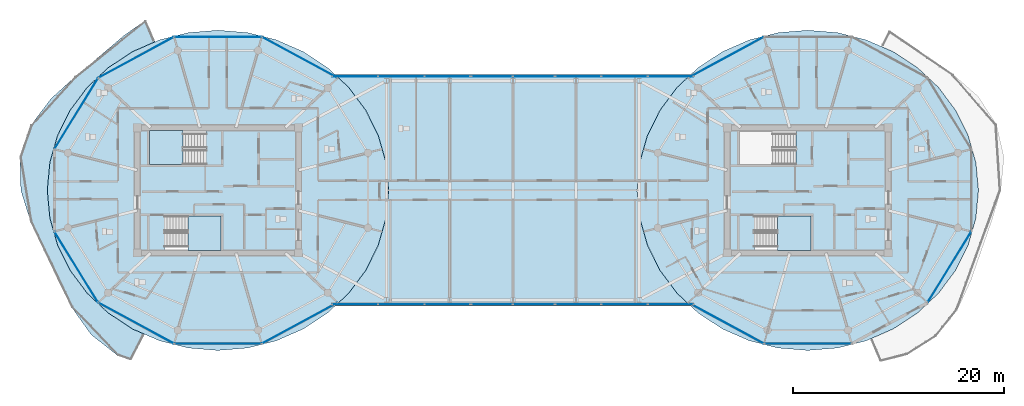
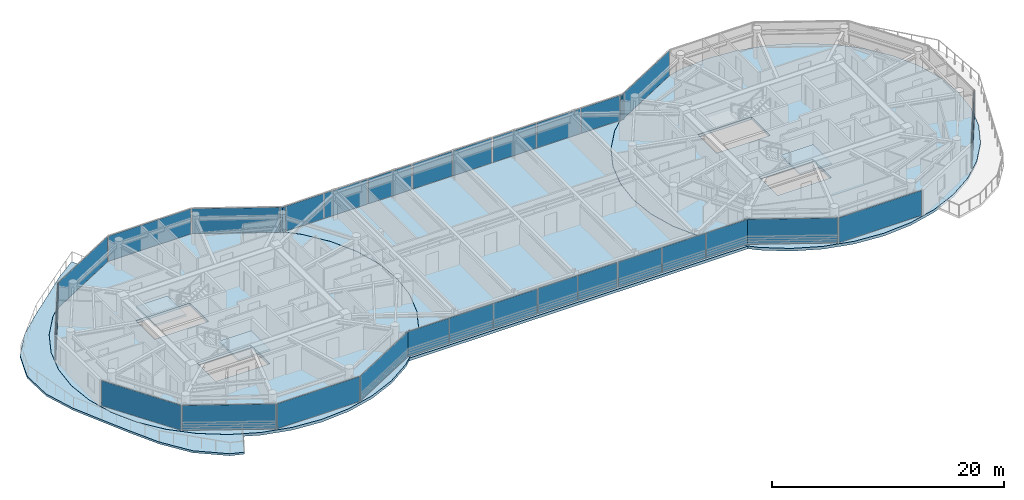
# One storey, part 12 of 26: 28 plates, 7 slabs, 21 elements without a shape of their own.
"""IFC4 building model written with IfcOpenShell, lengths in metres."""

from ifc_helpers import new_model, si_unit, direction, frame, origin, origin_2d, place, context, subcontext, project, spatial, polyline, rectangle, outline, extrude, source, transform, mapped, material, layer, layer_set, type_object, type_shapes, element, aggregate, save


model = new_model("IFC4")

# Units and contexts
model_context = context("Model", 3, precision=1e-05, world=origin(), true_north=direction((0.0, 1.0)))
body_context = subcontext(model_context, "Body", "Model", "MODEL_VIEW")
ifc_project = project(units=[si_unit("LENGTHUNIT", "METRE"), si_unit("AREAUNIT", "SQUARE_METRE"), si_unit("VOLUMEUNIT", "CUBIC_METRE"), si_unit("PLANEANGLEUNIT", "RADIAN"), si_unit("MASSUNIT", "GRAM", prefix="KILO")], contexts=[model_context])

# Site, building, storey
site_placement = place(None, origin())
site = spatial("IfcSite", under=ifc_project, at=site_placement, CompositionType="ELEMENT")
building_placement = place(site_placement, origin())
building = spatial("IfcBuilding", under=site, at=building_placement, Name="Norrkilde Senior Care Towers", CompositionType="ELEMENT")
storey_placement = place(building_placement, frame((0.0, 0.0, 210.85009765625)))
storey = spatial("IfcBuildingStorey", under=building, at=storey_placement, Name="L65", CompositionType="ELEMENT", Elevation=210.85009765625)

# Slabs
ifc_material_1 = material(Name="Concrete C50/60", Category="concrete")
ifc_layer_1 = layer(ifc_material_1, 0.2900390625)
ifc_layer_set_1 = layer_set([ifc_layer_1], Name="Concrete C50/60")
slab_type_1 = type_object("IfcSlabType", Name="Bridge Floor Slab 290", PredefinedType="FLOOR", material=ifc_layer_set_1)
slab_1_placement = place(storey_placement, frame((0.0, 0.0, -0.2900390625)))
element("IfcSlab", 1, at=slab_1_placement, inside=storey, type_object=slab_type_1, Name="L65 Drum W Structural Floor Slab", PredefinedType="FLOOR", context=body_context, shape_type="SweptSolid", body=[
    extrude(outline(polyline([(-12.777099609375, -5.19873046875), (-13.970458984375, -7.60009765625), (-15.590087890625, -9.770263671875), (-17.5869140625, -11.643798828125), (-19.89990234375, -13.16357421875), (-22.459228515625, -14.283447265625), (-25.18701171875, -14.968994140625), (-28.0, -15.199951171875), (-30.81298828125, -14.968994140625), (-33.540771484375, -14.283447265625), (-36.10009765625, -13.16357421875), (-38.4130859375, -11.643798828125), (-40.409912109375, -9.770263671875), (-42.029541015625, -7.60009765625), (-43.222900390625, -5.19873046875), (-43.953857421875, -2.639404296875), (-44.199951171875, 0.0), (-43.953857421875, 2.639404296875), (-43.222900390625, 5.19873046875), (-42.029541015625, 7.60009765625), (-40.409912109375, 9.770263671875), (-38.4130859375, 11.643798828125), (-36.10009765625, 13.16357421875), (-33.540771484375, 14.283447265625), (-30.81298828125, 14.968994140625), (-28.0, 15.199951171875), (-25.18701171875, 14.968994140625), (-22.459228515625, 14.283447265625), (-19.89990234375, 13.16357421875), (-17.5869140625, 11.643798828125), (-15.590087890625, 9.770263671875), (-13.970458984375, 7.60009765625), (-12.777099609375, 5.19873046875), (-12.046142578125, 2.639404296875), (-11.800048828125, 0.0), (-12.046142578125, -2.639404296875), (-12.777099609375, -5.19873046875)]), holes=[polyline([(-34.48193359375, 2.468017578125), (-29.117919921875, 2.468017578125), (-29.117919921875, 5.68994140625), (-34.48193359375, 5.68994140625), (-34.48193359375, 2.468017578125)]), polyline([(-27.718017578125, -5.68994140625), (-27.718017578125, -2.468017578125), (-33.08203125, -2.468017578125), (-33.08203125, -5.68994140625), (-27.718017578125, -5.68994140625)])]), origin(), (0.0, 0.0, 1.0), 0.2900390625),
])
slab_2_placement = place(storey_placement, frame((0.0, 0.0, -0.2900390625)))
element("IfcSlab", 2, at=slab_2_placement, inside=storey, type_object=slab_type_1, Name="L65 Drum E Structural Floor Slab", PredefinedType="FLOOR", context=body_context, shape_type="SweptSolid", body=[
    extrude(outline(polyline([(43.222900390625, -5.19873046875), (42.029541015625, -7.60009765625), (40.409912109375, -9.770263671875), (38.4130859375, -11.643798828125), (36.10009765625, -13.16357421875), (33.540771484375, -14.283447265625), (30.81298828125, -14.968994140625), (28.0, -15.199951171875), (25.18701171875, -14.968994140625), (22.459228515625, -14.283447265625), (19.89990234375, -13.16357421875), (17.5869140625, -11.643798828125), (15.590087890625, -9.770263671875), (13.970458984375, -7.60009765625), (12.777099609375, -5.19873046875), (12.046142578125, -2.639404296875), (11.800048828125, 0.0), (12.046142578125, 2.639404296875), (12.777099609375, 5.19873046875), (13.970458984375, 7.60009765625), (15.590087890625, 9.770263671875), (17.5869140625, 11.643798828125), (19.89990234375, 13.16357421875), (22.459228515625, 14.283447265625), (25.18701171875, 14.968994140625), (28.0, 15.199951171875), (30.81298828125, 14.968994140625), (33.540771484375, 14.283447265625), (36.10009765625, 13.16357421875), (38.4130859375, 11.643798828125), (40.409912109375, 9.770263671875), (42.029541015625, 7.60009765625), (43.222900390625, 5.19873046875), (43.953857421875, 2.639404296875), (44.199951171875, 0.0), (43.953857421875, -2.639404296875), (43.222900390625, -5.19873046875)]), holes=[polyline([(21.51806640625, 2.468017578125), (26.882080078125, 2.468017578125), (26.882080078125, 5.68994140625), (21.51806640625, 5.68994140625), (21.51806640625, 2.468017578125)]), polyline([(28.281982421875, -5.68994140625), (28.281982421875, -2.468017578125), (22.91796875, -2.468017578125), (22.91796875, -5.68994140625), (28.281982421875, -5.68994140625)])]), origin(), (0.0, 0.0, 1.0), 0.2900390625),
])
slab_3_placement = place(storey_placement, frame((0.0, 0.0, -0.2900390625)))
element("IfcSlab", 3, at=slab_3_placement, inside=storey, type_object=slab_type_1, Name="L65 Sky-Gate Bridge Floor Slab", PredefinedType="FLOOR", context=body_context, shape_type="SweptSolid", body=[
    extrude(outline(polyline([(16.893310546875, 11.0), (15.586669921875, 9.77392578125), (15.58642578125, 9.773681640625), (15.586181640625, 9.7734375), (13.96630859375, 7.60302734375), (13.966064453125, 7.6025390625), (13.9658203125, 7.602294921875), (12.7724609375, 5.200927734375), (12.772216796875, 5.200439453125), (12.772216796875, 5.2001953125), (12.041259765625, 2.640869140625), (12.041259765625, 2.640380859375), (12.041015625, 2.639892578125), (11.794921875, 0.00048828125), (11.794921875, 0.0), (11.794921875, -0.00048828125), (12.041015625, -2.639892578125), (12.041259765625, -2.640380859375), (12.041259765625, -2.640869140625), (12.772216796875, -5.2001953125), (12.772216796875, -5.200439453125), (12.7724609375, -5.200927734375), (13.9658203125, -7.602294921875), (13.966064453125, -7.6025390625), (13.96630859375, -7.60302734375), (15.586181640625, -9.7734375), (15.58642578125, -9.773681640625), (15.586669921875, -9.77392578125), (16.893310546875, -11.0), (-16.893310546875, -11.0), (-15.586669921875, -9.77392578125), (-15.58642578125, -9.773681640625), (-15.586181640625, -9.7734375), (-13.96630859375, -7.60302734375), (-13.966064453125, -7.6025390625), (-13.9658203125, -7.602294921875), (-12.7724609375, -5.200927734375), (-12.772216796875, -5.200439453125), (-12.772216796875, -5.2001953125), (-12.041259765625, -2.640869140625), (-12.041259765625, -2.640380859375), (-12.041015625, -2.639892578125), (-11.794921875, -0.00048828125), (-11.794921875, 0.0), (-11.794921875, 0.00048828125), (-12.041015625, 2.639892578125), (-12.041259765625, 2.640380859375), (-12.041259765625, 2.640869140625), (-12.772216796875, 5.2001953125), (-12.772216796875, 5.200439453125), (-12.7724609375, 5.200927734375), (-13.9658203125, 7.602294921875), (-13.966064453125, 7.6025390625), (-13.96630859375, 7.60302734375), (-15.586181640625, 9.7734375), (-15.58642578125, 9.773681640625), (-15.586669921875, 9.77392578125), (-16.893310546875, 11.0), (16.893310546875, 11.0)])), origin(), (0.0, 0.0, 1.0), 0.2900390625),
])
ifc_layer_2 = layer(ifc_material_1, 0.215087890625)
ifc_layer_set_2 = layer_set([ifc_layer_2], Name="Concrete C50/60")
slab_type_2 = type_object("IfcSlabType", Name="Sinusoidal Balcony Ribbon Slab 215", PredefinedType="FLOOR", material=ifc_layer_set_2)
slab_4_placement = place(storey_placement, frame((0.0, 0.0, -0.215087890625)))
element("IfcSlab", 4, at=slab_4_placement, inside=storey, type_object=slab_type_2, Name="L65 Drum W Swirling Senior Balcony 1", PredefinedType="FLOOR", context=body_context, shape_type="SweptSolid", body=[
    extrude(outline(polyline([(-41.8935546875, -11.09716796875), (-43.267822265625, -8.36181640625), (-44.525146484375, -5.703857421875), (-45.78173828125, -2.98291015625), (-46.71240234375, 0.0), (-46.79248046875, 3.1728515625), (-45.757568359375, 6.181884765625), (-43.83935546875, 8.713623046875), (-41.55126953125, 10.791259765625), (-39.255615234375, 12.7138671875), (-36.927490234375, 14.69140625), (-34.841552734375, 16.17041015625), (-33.966552734375, 14.1025390625), (-36.1025390625, 13.16796875), (-38.416259765625, 11.647705078125), (-40.413818359375, 9.773681640625), (-42.033935546875, 7.6025390625), (-43.227783203125, 5.200439453125), (-43.958740234375, 2.640380859375), (-44.205078125, 0.0), (-43.958740234375, -2.640380859375), (-43.227783203125, -5.200439453125), (-42.033935546875, -7.6025390625), (-40.413818359375, -9.773681640625), (-38.416259765625, -11.647705078125), (-36.1025390625, -13.16796875), (-34.976806640625, -13.660400390625), (-36.240966796875, -16.135498046875), (-37.481201171875, -15.71337890625), (-40.035888671875, -13.704833984375), (-41.8935546875, -11.09716796875)])), origin(), (0.0, 0.0, 1.0), 0.215087890625),
])

# Stair, slab
ifc_material_2 = material(Name="Concrete C45/55", Category="concrete")
stair_type = type_object("IfcStairType", Name="Core Protected Dogleg Stair Typical 3050", PredefinedType="HALF_TURN_STAIR", material=ifc_material_2)
stair_1_placement = place(storey_placement, origin())
stair_1 = element("IfcStair", 5, at=stair_1_placement, inside=storey, type_object=stair_type, Name="L65 Protected Core Stair W1", PredefinedType="HALF_TURN_STAIR")
ifc_layer_3 = layer(ifc_material_2, 0.199951171875)
ifc_layer_set_3 = layer_set([ifc_layer_3], Name="Concrete C45/55")
slab_type_3 = type_object("IfcSlabType", Name="Stair Landing Slab 200", PredefinedType="LANDING", material=ifc_layer_set_3)
slab_5_placement = place(storey_placement, frame((0.0, 0.0, 1.324951171875)))
slab_5 = element("IfcSlab", 6, at=slab_5_placement, type_object=slab_type_3, Name="ST-W1 landing 1", PredefinedType="LANDING", context=body_context, shape_type="SweptSolid", body=[
    extrude(outline(polyline([(-31.340087890625, 5.68994140625), (-34.5, 5.68994140625), (-34.5, 2.449951171875), (-31.340087890625, 2.449951171875), (-31.340087890625, 5.68994140625)])), origin(), (0.0, 0.0, 1.0), 0.199951171875),
])
aggregate(stair_1, [slab_5])

stair_2_placement = place(storey_placement, origin())
stair_2 = element("IfcStair", 7, at=stair_2_placement, inside=storey, type_object=stair_type, Name="L65 Protected Core Stair W2", PredefinedType="HALF_TURN_STAIR")
slab_6_placement = place(storey_placement, frame((0.0, 0.0, 1.324951171875)))
slab_6 = element("IfcSlab", 8, at=slab_6_placement, type_object=slab_type_3, Name="ST-W2 landing 1", PredefinedType="LANDING", context=body_context, shape_type="SweptSolid", body=[
    extrude(outline(polyline([(-30.860107421875, -5.68994140625), (-27.699951171875, -5.68994140625), (-27.699951171875, -2.449951171875), (-30.860107421875, -2.449951171875), (-30.860107421875, -5.68994140625)])), origin(), (0.0, 0.0, 1.0), 0.199951171875),
])
aggregate(stair_2, [slab_6])

stair_3_placement = place(storey_placement, origin())
stair_3 = element("IfcStair", 9, at=stair_3_placement, inside=storey, type_object=stair_type, Name="L65 Protected Core Stair E2", PredefinedType="HALF_TURN_STAIR")
slab_7_placement = place(storey_placement, frame((0.0, 0.0, 1.324951171875)))
slab_7 = element("IfcSlab", 10, at=slab_7_placement, type_object=slab_type_3, Name="ST-E2 landing 1", PredefinedType="LANDING", context=body_context, shape_type="SweptSolid", body=[
    extrude(outline(polyline([(25.139892578125, -5.68994140625), (28.300048828125, -5.68994140625), (28.300048828125, -2.449951171875), (25.139892578125, -2.449951171875), (25.139892578125, -5.68994140625)])), origin(), (0.0, 0.0, 1.0), 0.199951171875),
])
aggregate(stair_3, [slab_7])

# Curtain wall, plate
ifc_material_3 = material(Name="Triple Low-E Insulated Glazing", Category="glass")
ifc_layer_4 = layer(ifc_material_3, 0.18505859375)
ifc_layer_set_4 = layer_set([ifc_layer_4], Name="Triple Low-E Insulated Glazing")
curtain_wall_type_1 = type_object("IfcCurtainWallType", Name="CW6 Zone 4 Crown Pavilion Curtain Wall", PredefinedType="NOTDEFINED", material=ifc_layer_set_4)
curtain_wall_1_placement = place(storey_placement, origin())
curtain_wall_1 = element("IfcCurtainWall", 11, at=curtain_wall_1_placement, inside=storey, type_object=curtain_wall_type_1, Name="L65 Drum W Curtain Wall 04", PredefinedType="NOTDEFINED")
ifc_layer_5 = layer(ifc_material_3, 0.035888671875)
ifc_layer_set_5 = layer_set([ifc_layer_5], Name="Triple Low-E Insulated Glazing")
plate_type = type_object("IfcPlateType", Name="Triple Low-E Vision Curtain Panel 36", PredefinedType="CURTAIN_PANEL", material=ifc_layer_set_5)
shared_shape_1 = source(origin(), body_context, "Body", "SweptSolid", [
    extrude(rectangle(XDim=7.80859375, YDim=0.035888671875, at=origin_2d()), origin(), (0.0, 0.0, 1.0), 2.639892578125),
])
plate_1_placement = place(storey_placement, frame((-41.451171875, 7.282958984375, 0.06005859375), z_axis=(0.0, 0.0, 1.0), x_axis=(0.524252726748, 0.851562727283, 0.0)))
plate_1 = element("IfcPlate", 12, at=plate_1_placement, type_object=plate_type, Name="CW-6 panel 1.1", PredefinedType="CURTAIN_PANEL", context=body_context, shape_type="MappedRepresentation", body=[
    mapped(shared_shape_1, transform((0.0, 0.0, 0.0), x_axis=(1.0, 0.0, 0.0), y_axis=(0.0, 1.0, 0.0), z_axis=(0.0, 0.0, 1.0), scale=1.0)),
])
aggregate(curtain_wall_1, [plate_1])

curtain_wall_2_placement = place(storey_placement, origin())
curtain_wall_2 = element("IfcCurtainWall", 13, at=curtain_wall_2_placement, inside=storey, type_object=curtain_wall_type_1, Name="L65 Drum W Curtain Wall 06", PredefinedType="NOTDEFINED")
plate_2_placement = place(storey_placement, frame((-41.451171875, -7.282958984375, 0.06005859375), z_axis=(0.0, 0.0, 1.0), x_axis=(-0.524252726748, 0.851562727283, 0.0)))
plate_2 = element("IfcPlate", 14, at=plate_2_placement, type_object=plate_type, Name="CW-6 panel 1.1", PredefinedType="CURTAIN_PANEL", context=body_context, shape_type="MappedRepresentation", body=[
    mapped(shared_shape_1, transform((0.0, 0.0, 0.0), x_axis=(1.0, 0.0, 0.0), y_axis=(0.0, 1.0, 0.0), z_axis=(0.0, 0.0, 1.0), scale=1.0)),
])
aggregate(curtain_wall_2, [plate_2])

curtain_wall_3_placement = place(storey_placement, origin())
curtain_wall_3 = element("IfcCurtainWall", 15, at=curtain_wall_3_placement, inside=storey, type_object=curtain_wall_type_1, Name="L65 Drum E Curtain Wall 10", PredefinedType="NOTDEFINED")
plate_3_placement = place(storey_placement, frame((41.451171875, -7.282958984375, 0.06005859375), z_axis=(0.0, 0.0, 1.0), x_axis=(-0.524252726748, -0.851562727283, 0.0)))
plate_3 = element("IfcPlate", 16, at=plate_3_placement, type_object=plate_type, Name="CW-6 panel 1.1", PredefinedType="CURTAIN_PANEL", context=body_context, shape_type="MappedRepresentation", body=[
    mapped(shared_shape_1, transform((0.0, 0.0, 0.0), x_axis=(1.0, 0.0, 0.0), y_axis=(0.0, 1.0, 0.0), z_axis=(0.0, 0.0, 1.0), scale=1.0)),
])
aggregate(curtain_wall_3, [plate_3])

curtain_wall_4_placement = place(storey_placement, origin())
curtain_wall_4 = element("IfcCurtainWall", 17, at=curtain_wall_4_placement, inside=storey, type_object=curtain_wall_type_1, Name="L65 Drum W Curtain Wall 01", PredefinedType="NOTDEFINED")
shared_shape_2 = source(origin(), body_context, "Body", "SweptSolid", [
    extrude(rectangle(XDim=8.0673828125, YDim=0.035888671875, at=origin_2d()), origin(), (0.0, 0.0, 1.0), 2.639892578125),
])
plate_4_placement = place(storey_placement, frame((-20.23388671875, 12.61474609375, 0.06005859375), z_axis=(0.0, 0.0, 1.0), x_axis=(0.879373455772, -0.476132676136, 0.0)))
plate_4 = element("IfcPlate", 18, at=plate_4_placement, type_object=plate_type, Name="CW-6 panel 1.1", PredefinedType="CURTAIN_PANEL", context=body_context, shape_type="MappedRepresentation", body=[
    mapped(shared_shape_2, transform((0.0, 0.0, 0.0), x_axis=(1.0, 0.0, 0.0), y_axis=(0.0, 1.0, 0.0), z_axis=(0.0, 0.0, 1.0), scale=1.0)),
])
aggregate(curtain_wall_4, [plate_4])

curtain_wall_5_placement = place(storey_placement, origin())
curtain_wall_5 = element("IfcCurtainWall", 19, at=curtain_wall_5_placement, inside=storey, type_object=curtain_wall_type_1, Name="L65 Drum W Curtain Wall 03", PredefinedType="NOTDEFINED")
plate_5_placement = place(storey_placement, frame((-35.76611328125, 12.61474609375, 0.06005859375), z_axis=(0.0, 0.0, 1.0), x_axis=(0.879373455772, 0.476132676136, 0.0)))
plate_5 = element("IfcPlate", 20, at=plate_5_placement, type_object=plate_type, Name="CW-6 panel 1.1", PredefinedType="CURTAIN_PANEL", context=body_context, shape_type="MappedRepresentation", body=[
    mapped(shared_shape_2, transform((0.0, 0.0, 0.0), x_axis=(1.0, 0.0, 0.0), y_axis=(0.0, 1.0, 0.0), z_axis=(0.0, 0.0, 1.0), scale=1.0)),
])
aggregate(curtain_wall_5, [plate_5])

curtain_wall_6_placement = place(storey_placement, origin())
curtain_wall_6 = element("IfcCurtainWall", 21, at=curtain_wall_6_placement, inside=storey, type_object=curtain_wall_type_1, Name="L65 Drum W Curtain Wall 07", PredefinedType="NOTDEFINED")
plate_6_placement = place(storey_placement, frame((-35.76611328125, -12.61474609375, 0.06005859375), z_axis=(0.0, 0.0, 1.0), x_axis=(-0.879373455772, 0.476132676136, 0.0)))
plate_6 = element("IfcPlate", 22, at=plate_6_placement, type_object=plate_type, Name="CW-6 panel 1.1", PredefinedType="CURTAIN_PANEL", context=body_context, shape_type="MappedRepresentation", body=[
    mapped(shared_shape_2, transform((0.0, 0.0, 0.0), x_axis=(1.0, 0.0, 0.0), y_axis=(0.0, 1.0, 0.0), z_axis=(0.0, 0.0, 1.0), scale=1.0)),
])
aggregate(curtain_wall_6, [plate_6])

curtain_wall_7_placement = place(storey_placement, origin())
curtain_wall_7 = element("IfcCurtainWall", 23, at=curtain_wall_7_placement, inside=storey, type_object=curtain_wall_type_1, Name="L65 Drum W Curtain Wall 09", PredefinedType="NOTDEFINED")
plate_7_placement = place(storey_placement, frame((-20.23388671875, -12.61474609375, 0.06005859375), z_axis=(0.0, 0.0, 1.0), x_axis=(-0.879373455772, -0.476132676136, 0.0)))
plate_7 = element("IfcPlate", 24, at=plate_7_placement, type_object=plate_type, Name="CW-6 panel 1.1", PredefinedType="CURTAIN_PANEL", context=body_context, shape_type="MappedRepresentation", body=[
    mapped(shared_shape_2, transform((0.0, 0.0, 0.0), x_axis=(1.0, 0.0, 0.0), y_axis=(0.0, 1.0, 0.0), z_axis=(0.0, 0.0, 1.0), scale=1.0)),
])
aggregate(curtain_wall_7, [plate_7])

curtain_wall_8_placement = place(storey_placement, origin())
curtain_wall_8 = element("IfcCurtainWall", 25, at=curtain_wall_8_placement, inside=storey, type_object=curtain_wall_type_1, Name="L65 Drum E Curtain Wall 03", PredefinedType="NOTDEFINED")
plate_8_placement = place(storey_placement, frame((20.23388671875, 12.61474609375, 0.06005859375), z_axis=(0.0, 0.0, 1.0), x_axis=(0.879373455772, 0.476132676136, 0.0)))
plate_8 = element("IfcPlate", 26, at=plate_8_placement, type_object=plate_type, Name="CW-6 panel 1.1", PredefinedType="CURTAIN_PANEL", context=body_context, shape_type="MappedRepresentation", body=[
    mapped(shared_shape_2, transform((0.0, 0.0, 0.0), x_axis=(1.0, 0.0, 0.0), y_axis=(0.0, 1.0, 0.0), z_axis=(0.0, 0.0, 1.0), scale=1.0)),
])
aggregate(curtain_wall_8, [plate_8])

curtain_wall_9_placement = place(storey_placement, origin())
curtain_wall_9 = element("IfcCurtainWall", 27, at=curtain_wall_9_placement, inside=storey, type_object=curtain_wall_type_1, Name="L65 Drum E Curtain Wall 07", PredefinedType="NOTDEFINED")
plate_9_placement = place(storey_placement, frame((20.23388671875, -12.61474609375, 0.06005859375), z_axis=(0.0, 0.0, 1.0), x_axis=(-0.879373455772, 0.476132676136, 0.0)))
plate_9 = element("IfcPlate", 28, at=plate_9_placement, type_object=plate_type, Name="CW-6 panel 1.1", PredefinedType="CURTAIN_PANEL", context=body_context, shape_type="MappedRepresentation", body=[
    mapped(shared_shape_2, transform((0.0, 0.0, 0.0), x_axis=(1.0, 0.0, 0.0), y_axis=(0.0, 1.0, 0.0), z_axis=(0.0, 0.0, 1.0), scale=1.0)),
])
aggregate(curtain_wall_9, [plate_9])

curtain_wall_10_placement = place(storey_placement, origin())
curtain_wall_10 = element("IfcCurtainWall", 29, at=curtain_wall_10_placement, inside=storey, type_object=curtain_wall_type_1, Name="L65 Drum W Curtain Wall 02", PredefinedType="NOTDEFINED")
shared_shape_3 = source(origin(), body_context, "Body", "SweptSolid", [
    extrude(rectangle(XDim=8.193603515625, YDim=0.035888671875, at=origin_2d()), origin(), (0.0, 0.0, 1.0), 2.639892578125),
])
plate_10_placement = place(storey_placement, frame((-28.0, 14.566162109375, 0.06005859375), z_axis=(0.0, 0.0, 1.0), x_axis=(1.0, 0.0, 0.0)))
plate_10 = element("IfcPlate", 30, at=plate_10_placement, type_object=plate_type, Name="CW-6 panel 1.1", PredefinedType="CURTAIN_PANEL", context=body_context, shape_type="MappedRepresentation", body=[
    mapped(shared_shape_3, transform((0.0, 0.0, 0.0), x_axis=(1.0, 0.0, 0.0), y_axis=(0.0, 1.0, 0.0), z_axis=(0.0, 0.0, 1.0), scale=1.0)),
])
aggregate(curtain_wall_10, [plate_10])

curtain_wall_11_placement = place(storey_placement, origin())
curtain_wall_11 = element("IfcCurtainWall", 31, at=curtain_wall_11_placement, inside=storey, type_object=curtain_wall_type_1, Name="L65 Drum W Curtain Wall 08", PredefinedType="NOTDEFINED")
plate_11_placement = place(storey_placement, frame((-28.0, -14.566162109375, 0.06005859375), z_axis=(0.0, 0.0, 1.0), x_axis=(-1.0, 0.0, 0.0)))
plate_11 = element("IfcPlate", 32, at=plate_11_placement, type_object=plate_type, Name="CW-6 panel 1.1", PredefinedType="CURTAIN_PANEL", context=body_context, shape_type="MappedRepresentation", body=[
    mapped(shared_shape_3, transform((0.0, 0.0, 0.0), x_axis=(1.0, 0.0, 0.0), y_axis=(0.0, 1.0, 0.0), z_axis=(0.0, 0.0, 1.0), scale=1.0)),
])
aggregate(curtain_wall_11, [plate_11])

curtain_wall_12_placement = place(storey_placement, origin())
curtain_wall_12 = element("IfcCurtainWall", 33, at=curtain_wall_12_placement, inside=storey, type_object=curtain_wall_type_1, Name="L65 Drum E Curtain Wall 08", PredefinedType="NOTDEFINED")
plate_12_placement = place(storey_placement, frame((28.0, -14.566162109375, 0.06005859375), z_axis=(0.0, 0.0, 1.0), x_axis=(-1.0, 0.0, 0.0)))
plate_12 = element("IfcPlate", 34, at=plate_12_placement, type_object=plate_type, Name="CW-6 panel 1.1", PredefinedType="CURTAIN_PANEL", context=body_context, shape_type="MappedRepresentation", body=[
    mapped(shared_shape_3, transform((0.0, 0.0, 0.0), x_axis=(1.0, 0.0, 0.0), y_axis=(0.0, 1.0, 0.0), z_axis=(0.0, 0.0, 1.0), scale=1.0)),
])
aggregate(curtain_wall_12, [plate_12])

# Curtain wall, plates
ifc_layer_6 = layer(ifc_material_3, 0.2099609375)
ifc_layer_set_6 = layer_set([ifc_layer_6], Name="Triple Low-E Insulated Glazing")
curtain_wall_type_2 = type_object("IfcCurtainWallType", Name="CW5 Sky-Gate Bridge Curtain Wall", PredefinedType="NOTDEFINED", material=ifc_layer_set_6)
curtain_wall_13_placement = place(storey_placement, origin())
curtain_wall_13 = element("IfcCurtainWall", 35, at=curtain_wall_13_placement, inside=storey, type_object=curtain_wall_type_2, Name="L65 Sky-Gate Bridge North Curtain Wall 1", PredefinedType="NOTDEFINED")
shared_shape_4 = source(origin(), body_context, "Body", "SweptSolid", [
    extrude(rectangle(XDim=4.294921875, YDim=0.035888671875, at=origin_2d()), origin(), (0.0, 0.0, 1.0), 2.6298828125),
])
plate_13_placement = place(storey_placement, frame((-14.982421875, 10.820068359375, 0.06494140625), z_axis=(0.0, 0.0, 1.0), x_axis=(1.0, 0.0, 0.0)))
plate_13 = element("IfcPlate", 36, at=plate_13_placement, type_object=plate_type, Name="CW-5 panel 1.1", PredefinedType="CURTAIN_PANEL", context=body_context, shape_type="MappedRepresentation", body=[
    mapped(shared_shape_4, transform((0.0, 0.0, 0.0), x_axis=(1.0, 0.0, 0.0), y_axis=(0.0, 1.0, 0.0), z_axis=(0.0, 0.0, 1.0), scale=1.0)),
])
plate_14_placement = place(storey_placement, frame((-6.217529296875, 10.820068359375, 0.06494140625), z_axis=(0.0, 0.0, 1.0), x_axis=(1.0, 0.0, 0.0)))
plate_14 = element("IfcPlate", 37, at=plate_14_placement, type_object=plate_type, Name="CW-5 panel 3.1", PredefinedType="CURTAIN_PANEL", context=body_context, shape_type="MappedRepresentation", body=[
    mapped(shared_shape_4, transform((0.0, 0.0, 0.0), x_axis=(1.0, 0.0, 0.0), y_axis=(0.0, 1.0, 0.0), z_axis=(0.0, 0.0, 1.0), scale=1.0)),
])

curtain_wall_14_placement = place(storey_placement, origin())
curtain_wall_14 = element("IfcCurtainWall", 38, at=curtain_wall_14_placement, inside=storey, type_object=curtain_wall_type_2, Name="L65 Sky-Gate Bridge North Curtain Wall 3", PredefinedType="NOTDEFINED")
plate_15_placement = place(storey_placement, frame((6.217529296875, 10.820068359375, 0.06494140625), z_axis=(0.0, 0.0, 1.0), x_axis=(1.0, 0.0, 0.0)))
plate_15 = element("IfcPlate", 39, at=plate_15_placement, type_object=plate_type, Name="CW-5 panel 1.1", PredefinedType="CURTAIN_PANEL", context=body_context, shape_type="MappedRepresentation", body=[
    mapped(shared_shape_4, transform((0.0, 0.0, 0.0), x_axis=(1.0, 0.0, 0.0), y_axis=(0.0, 1.0, 0.0), z_axis=(0.0, 0.0, 1.0), scale=1.0)),
])
plate_16_placement = place(storey_placement, frame((14.982421875, 10.820068359375, 0.06494140625), z_axis=(0.0, 0.0, 1.0), x_axis=(1.0, 0.0, 0.0)))
plate_16 = element("IfcPlate", 40, at=plate_16_placement, type_object=plate_type, Name="CW-5 panel 3.1", PredefinedType="CURTAIN_PANEL", context=body_context, shape_type="MappedRepresentation", body=[
    mapped(shared_shape_4, transform((0.0, 0.0, 0.0), x_axis=(1.0, 0.0, 0.0), y_axis=(0.0, 1.0, 0.0), z_axis=(0.0, 0.0, 1.0), scale=1.0)),
])

curtain_wall_15_placement = place(storey_placement, origin())
curtain_wall_15 = element("IfcCurtainWall", 41, at=curtain_wall_15_placement, inside=storey, type_object=curtain_wall_type_2, Name="L65 Sky-Gate Bridge South Curtain Wall 1", PredefinedType="NOTDEFINED")
plate_17_placement = place(storey_placement, frame((14.982421875, -10.820068359375, 0.06494140625), z_axis=(0.0, 0.0, 1.0), x_axis=(-1.0, 0.0, 0.0)))
plate_17 = element("IfcPlate", 42, at=plate_17_placement, type_object=plate_type, Name="CW-5 panel 1.1", PredefinedType="CURTAIN_PANEL", context=body_context, shape_type="MappedRepresentation", body=[
    mapped(shared_shape_4, transform((0.0, 0.0, 0.0), x_axis=(1.0, 0.0, 0.0), y_axis=(0.0, 1.0, 0.0), z_axis=(0.0, 0.0, 1.0), scale=1.0)),
])
plate_18_placement = place(storey_placement, frame((6.217529296875, -10.820068359375, 0.06494140625), z_axis=(0.0, 0.0, 1.0), x_axis=(-1.0, 0.0, 0.0)))
plate_18 = element("IfcPlate", 43, at=plate_18_placement, type_object=plate_type, Name="CW-5 panel 3.1", PredefinedType="CURTAIN_PANEL", context=body_context, shape_type="MappedRepresentation", body=[
    mapped(shared_shape_4, transform((0.0, 0.0, 0.0), x_axis=(1.0, 0.0, 0.0), y_axis=(0.0, 1.0, 0.0), z_axis=(0.0, 0.0, 1.0), scale=1.0)),
])

curtain_wall_16_placement = place(storey_placement, origin())
curtain_wall_16 = element("IfcCurtainWall", 44, at=curtain_wall_16_placement, inside=storey, type_object=curtain_wall_type_2, Name="L65 Sky-Gate Bridge South Curtain Wall 3", PredefinedType="NOTDEFINED")
plate_19_placement = place(storey_placement, frame((-6.217529296875, -10.820068359375, 0.06494140625), z_axis=(0.0, 0.0, 1.0), x_axis=(-1.0, 0.0, 0.0)))
plate_19 = element("IfcPlate", 45, at=plate_19_placement, type_object=plate_type, Name="CW-5 panel 1.1", PredefinedType="CURTAIN_PANEL", context=body_context, shape_type="MappedRepresentation", body=[
    mapped(shared_shape_4, transform((0.0, 0.0, 0.0), x_axis=(1.0, 0.0, 0.0), y_axis=(0.0, 1.0, 0.0), z_axis=(0.0, 0.0, 1.0), scale=1.0)),
])
plate_20_placement = place(storey_placement, frame((-14.982421875, -10.820068359375, 0.06494140625), z_axis=(0.0, 0.0, 1.0), x_axis=(-1.0, 0.0, 0.0)))
plate_20 = element("IfcPlate", 46, at=plate_20_placement, type_object=plate_type, Name="CW-5 panel 3.1", PredefinedType="CURTAIN_PANEL", context=body_context, shape_type="MappedRepresentation", body=[
    mapped(shared_shape_4, transform((0.0, 0.0, 0.0), x_axis=(1.0, 0.0, 0.0), y_axis=(0.0, 1.0, 0.0), z_axis=(0.0, 0.0, 1.0), scale=1.0)),
])

# Plate
shared_shape_5 = source(origin(), body_context, "Body", "SweptSolid", [
    extrude(rectangle(XDim=4.330078125, YDim=0.035888671875, at=origin_2d()), origin(), (0.0, 0.0, 1.0), 2.6298828125),
])
plate_21_placement = place(storey_placement, frame((-10.60009765625, 10.820068359375, 0.06494140625), z_axis=(0.0, 0.0, 1.0), x_axis=(1.0, 0.0, 0.0)))
plate_21 = element("IfcPlate", 47, at=plate_21_placement, type_object=plate_type, Name="CW-5 panel 2.1", PredefinedType="CURTAIN_PANEL", context=body_context, shape_type="MappedRepresentation", body=[
    mapped(shared_shape_5, transform((0.0, 0.0, 0.0), x_axis=(1.0, 0.0, 0.0), y_axis=(0.0, 1.0, 0.0), z_axis=(0.0, 0.0, 1.0), scale=1.0)),
])

aggregate(curtain_wall_13, [plate_13, plate_21, plate_14])

plate_22_placement = place(storey_placement, frame((10.60009765625, 10.820068359375, 0.06494140625), z_axis=(0.0, 0.0, 1.0), x_axis=(1.0, 0.0, 0.0)))
plate_22 = element("IfcPlate", 48, at=plate_22_placement, type_object=plate_type, Name="CW-5 panel 2.1", PredefinedType="CURTAIN_PANEL", context=body_context, shape_type="MappedRepresentation", body=[
    mapped(shared_shape_5, transform((0.0, 0.0, 0.0), x_axis=(1.0, 0.0, 0.0), y_axis=(0.0, 1.0, 0.0), z_axis=(0.0, 0.0, 1.0), scale=1.0)),
])

aggregate(curtain_wall_14, [plate_15, plate_22, plate_16])

plate_23_placement = place(storey_placement, frame((10.60009765625, -10.820068359375, 0.06494140625), z_axis=(0.0, 0.0, 1.0), x_axis=(-1.0, 0.0, 0.0)))
plate_23 = element("IfcPlate", 49, at=plate_23_placement, type_object=plate_type, Name="CW-5 panel 2.1", PredefinedType="CURTAIN_PANEL", context=body_context, shape_type="MappedRepresentation", body=[
    mapped(shared_shape_5, transform((0.0, 0.0, 0.0), x_axis=(1.0, 0.0, 0.0), y_axis=(0.0, 1.0, 0.0), z_axis=(0.0, 0.0, 1.0), scale=1.0)),
])

aggregate(curtain_wall_15, [plate_17, plate_23, plate_18])

plate_24_placement = place(storey_placement, frame((-10.60009765625, -10.820068359375, 0.06494140625), z_axis=(0.0, 0.0, 1.0), x_axis=(-1.0, 0.0, 0.0)))
plate_24 = element("IfcPlate", 50, at=plate_24_placement, type_object=plate_type, Name="CW-5 panel 2.1", PredefinedType="CURTAIN_PANEL", context=body_context, shape_type="MappedRepresentation", body=[
    mapped(shared_shape_5, transform((0.0, 0.0, 0.0), x_axis=(1.0, 0.0, 0.0), y_axis=(0.0, 1.0, 0.0), z_axis=(0.0, 0.0, 1.0), scale=1.0)),
])

aggregate(curtain_wall_16, [plate_19, plate_24, plate_20])

# Curtain wall, plates
curtain_wall_17_placement = place(storey_placement, origin())
curtain_wall_17 = element("IfcCurtainWall", 51, at=curtain_wall_17_placement, inside=storey, type_object=curtain_wall_type_2, Name="L65 Sky-Gate Bridge North Curtain Wall 2", PredefinedType="NOTDEFINED")
shared_shape_6 = source(origin(), body_context, "Body", "SweptSolid", [
    extrude(rectangle(XDim=3.89501953125, YDim=0.035888671875, at=origin_2d()), origin(), (0.0, 0.0, 1.0), 2.6298828125),
])
type_shapes(plate_type, [shared_shape_1, shared_shape_2, shared_shape_3, shared_shape_4, shared_shape_5, shared_shape_6])
plate_25_placement = place(storey_placement, frame((-1.982421875, 10.820068359375, 0.06494140625), z_axis=(0.0, 0.0, 1.0), x_axis=(1.0, 0.0, 0.0)))
plate_25 = element("IfcPlate", 52, at=plate_25_placement, type_object=plate_type, Name="CW-5 panel 1.1", PredefinedType="CURTAIN_PANEL", context=body_context, shape_type="MappedRepresentation", body=[
    mapped(shared_shape_6, transform((0.0, 0.0, 0.0), x_axis=(1.0, 0.0, 0.0), y_axis=(0.0, 1.0, 0.0), z_axis=(0.0, 0.0, 1.0), scale=1.0)),
])
plate_26_placement = place(storey_placement, frame((1.982421875, 10.820068359375, 0.06494140625), z_axis=(0.0, 0.0, 1.0), x_axis=(1.0, 0.0, 0.0)))
plate_26 = element("IfcPlate", 53, at=plate_26_placement, type_object=plate_type, Name="CW-5 panel 2.1", PredefinedType="CURTAIN_PANEL", context=body_context, shape_type="MappedRepresentation", body=[
    mapped(shared_shape_6, transform((0.0, 0.0, 0.0), x_axis=(1.0, 0.0, 0.0), y_axis=(0.0, 1.0, 0.0), z_axis=(0.0, 0.0, 1.0), scale=1.0)),
])
aggregate(curtain_wall_17, [plate_25, plate_26])

curtain_wall_18_placement = place(storey_placement, origin())
curtain_wall_18 = element("IfcCurtainWall", 54, at=curtain_wall_18_placement, inside=storey, type_object=curtain_wall_type_2, Name="L65 Sky-Gate Bridge South Curtain Wall 2", PredefinedType="NOTDEFINED")
plate_27_placement = place(storey_placement, frame((1.982421875, -10.820068359375, 0.06494140625), z_axis=(0.0, 0.0, 1.0), x_axis=(-1.0, 0.0, 0.0)))
plate_27 = element("IfcPlate", 55, at=plate_27_placement, type_object=plate_type, Name="CW-5 panel 1.1", PredefinedType="CURTAIN_PANEL", context=body_context, shape_type="MappedRepresentation", body=[
    mapped(shared_shape_6, transform((0.0, 0.0, 0.0), x_axis=(1.0, 0.0, 0.0), y_axis=(0.0, 1.0, 0.0), z_axis=(0.0, 0.0, 1.0), scale=1.0)),
])
plate_28_placement = place(storey_placement, frame((-1.982421875, -10.820068359375, 0.06494140625), z_axis=(0.0, 0.0, 1.0), x_axis=(-1.0, 0.0, 0.0)))
plate_28 = element("IfcPlate", 56, at=plate_28_placement, type_object=plate_type, Name="CW-5 panel 2.1", PredefinedType="CURTAIN_PANEL", context=body_context, shape_type="MappedRepresentation", body=[
    mapped(shared_shape_6, transform((0.0, 0.0, 0.0), x_axis=(1.0, 0.0, 0.0), y_axis=(0.0, 1.0, 0.0), z_axis=(0.0, 0.0, 1.0), scale=1.0)),
])
aggregate(curtain_wall_18, [plate_27, plate_28])

save(model, "model.ifc")
